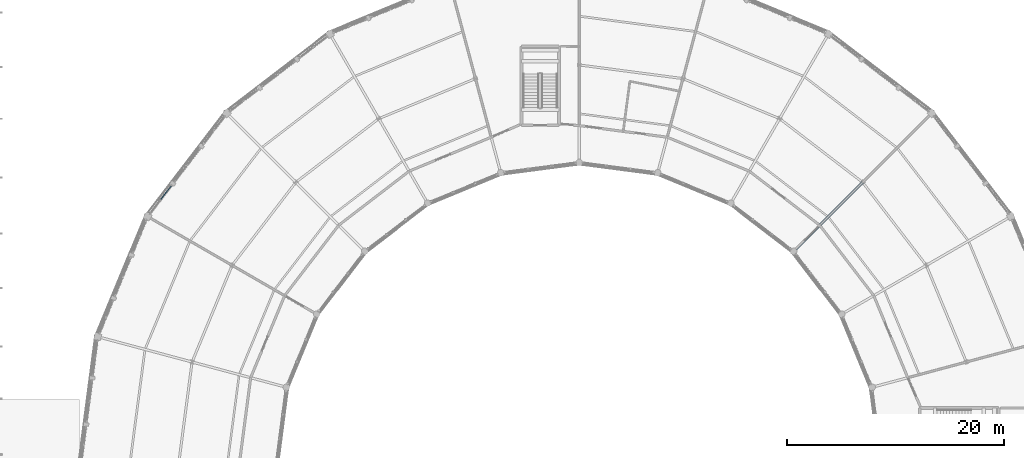
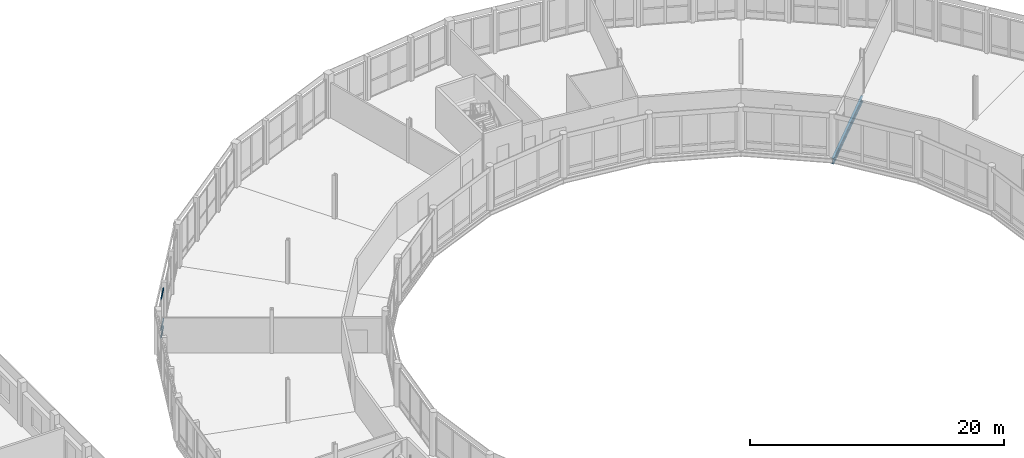
# One storey, part 69 of 170: 3 members, 1 beam, 1 element without a shape of its own.
"""IFC4 building model written with IfcOpenShell, lengths in metres."""

from ifc_helpers import new_model, si_unit, direction, frame, origin, origin_2d, place, context, subcontext, project, spatial, hollow_rectangle, i_section, extrude, material, material_profile, profile_set, type_object, element, aggregate, save


model = new_model("IFC4")

# Units and contexts
model_context = context("Model", 3, precision=1e-05, world=origin(), true_north=direction((0.0, 1.0)))
body_context = subcontext(model_context, "Body", "Model", "MODEL_VIEW")
ifc_project = project(units=[si_unit("LENGTHUNIT", "METRE"), si_unit("AREAUNIT", "SQUARE_METRE"), si_unit("VOLUMEUNIT", "CUBIC_METRE"), si_unit("PLANEANGLEUNIT", "RADIAN"), si_unit("MASSUNIT", "GRAM", prefix="KILO")], contexts=[model_context])

# Site, building, storey
site_placement = place(None, origin())
site = spatial("IfcSite", under=ifc_project, at=site_placement, CompositionType="ELEMENT")
building_placement = place(site_placement, origin())
building = spatial("IfcBuilding", under=site, at=building_placement, Name="Vondelvale Polytechnic", CompositionType="ELEMENT")
storey_placement = place(building_placement, frame((0.0, 0.0, 5.39990234375)))
storey = spatial("IfcBuildingStorey", under=building, at=storey_placement, Name="L01", CompositionType="ELEMENT", Elevation=5.39990234375)

# Beam
ifc_material_1 = material(Name="Steel 300PLUS (fy = 300 MPa)", Category="steel")
ifc_material_profile_1 = material_profile(ifc_material_1, i_section(OverallWidth=0.208984375, OverallDepth=0.532958984375, WebThickness=0.01025390625, FlangeThickness=0.015625, FilletRadius=0.013916015625, at=origin_2d()), Name="530UB92.4")
ifc_profile_set_1 = profile_set([ifc_material_profile_1], Name="Steel 300PLUS (fy = 300 MPa)")
beam_type = type_object("IfcBeamType", Name="BM-UB530", PredefinedType="BEAM", material=ifc_profile_set_1)
beam_placement = place(storey_placement, frame((121.799072265625, 91.799072265625, -0.54638671875), z_axis=(0.707106781187, 0.707106781187, 0.0), x_axis=(-0.707106781187, 0.707106781187, 0.0)))
element("IfcBeam", 1, at=beam_placement, inside=storey, type_object=beam_type, Name="L01 RG B-11", PredefinedType="BEAM", context=body_context, shape_type="SweptSolid", body=[
    extrude(i_section(OverallWidth=0.208984375, OverallDepth=0.532958984375, WebThickness=0.01025390625, FlangeThickness=0.015625, FilletRadius=0.013916015625, at=origin_2d()), origin(), (0.0, 0.0, 1.0), 9.0),
])

# Curtain wall, members
ifc_material_2 = material(Name="Glulam GL18 structural Tasmanian oak (fb = 42 MPa)", Category="wood")
curtain_wall_type = type_object("IfcCurtainWallType", Name="CW-RING-OUTER", PredefinedType="NOTDEFINED", material=ifc_material_2)
curtain_wall_placement = place(storey_placement, origin())
curtain_wall = element("IfcCurtainWall", 2, at=curtain_wall_placement, inside=storey, type_object=curtain_wall_type, Name="L01 architectural curtain wall CW-04-216", PredefinedType="NOTDEFINED")
ifc_material_3 = material(Name="Anodised extruded aluminium 6063-T6", Category="aluminium")
ifc_material_profile_2 = material_profile(ifc_material_3, hollow_rectangle(XDim=0.06005859375, YDim=0.139892578125, WallThickness=0.00341796875, at=origin_2d()), Name="CW-TRN-140x60")
ifc_profile_set_2 = profile_set([ifc_material_profile_2], Name="Anodised extruded aluminium 6063-T6")
member_type = type_object("IfcMemberType", Name="CW-TRN-60x140", PredefinedType="USERDEFINED", material=ifc_profile_set_2)
member_1_placement = place(storey_placement, frame((64.307373046875, 97.794677734375, 0.030029296875), z_axis=(-0.60882345649, -0.793305741078, 0.0), x_axis=(0.793305741078, -0.60882345649, 0.0)))
member_1 = element("IfcMember", 3, at=member_1_placement, type_object=member_type, Name="CW-04-216 transom 1.1", ObjectType="TRANSOM", PredefinedType="USERDEFINED", context=body_context, shape_type="SweptSolid", body=[
    extrude(hollow_rectangle(XDim=0.06005859375, YDim=0.139892578125, WallThickness=0.00341796875, at=origin_2d()), origin(), (0.0, 0.0, 1.0), 1.52978515625),
])
member_2_placement = place(storey_placement, frame((64.307373046875, 97.794677734375, 0.75), z_axis=(-0.60882345649, -0.793305741078, 0.0), x_axis=(0.793305741078, -0.60882345649, 0.0)))
member_2 = element("IfcMember", 4, at=member_2_placement, type_object=member_type, Name="CW-04-216 transom 1.2", ObjectType="TRANSOM", PredefinedType="USERDEFINED", context=body_context, shape_type="SweptSolid", body=[
    extrude(hollow_rectangle(XDim=0.06005859375, YDim=0.139892578125, WallThickness=0.00341796875, at=origin_2d()), origin(), (0.0, 0.0, 1.0), 1.52978515625),
])
member_3_placement = place(storey_placement, frame((64.307373046875, 97.794677734375, 3.690185546875), z_axis=(-0.60882345649, -0.793305741078, 0.0), x_axis=(0.793305741078, -0.60882345649, 0.0)))
member_3 = element("IfcMember", 5, at=member_3_placement, type_object=member_type, Name="CW-04-216 transom 1.3", ObjectType="TRANSOM", PredefinedType="USERDEFINED", context=body_context, shape_type="SweptSolid", body=[
    extrude(hollow_rectangle(XDim=0.06005859375, YDim=0.139892578125, WallThickness=0.00341796875, at=origin_2d()), origin(), (0.0, 0.0, 1.0), 1.52978515625),
])
aggregate(curtain_wall, [member_1, member_2, member_3])

save(model, "model.ifc")
